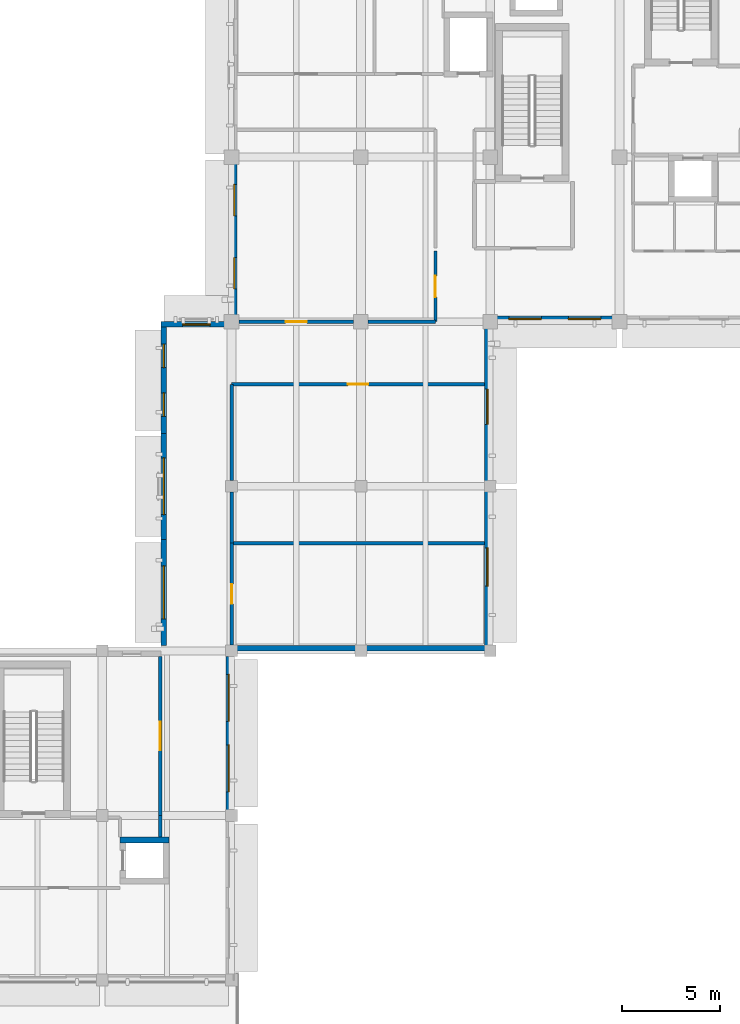
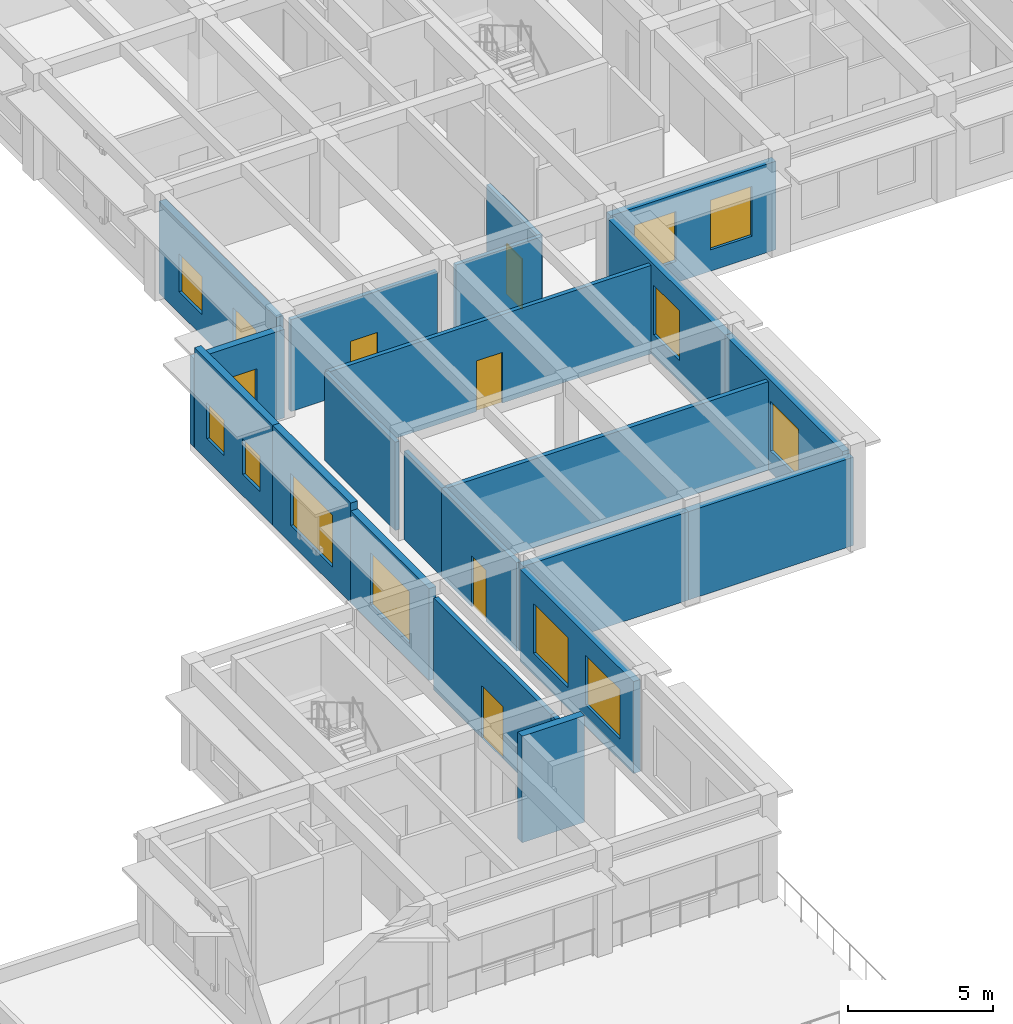
# One storey, part 10 of 20: 22 walls, 13 windows, 5 doors, 18 openings.
"""IFC4 building model written with IfcOpenShell, lengths in metres."""

from ifc_helpers import new_model, si_unit, direction, frame, frame_2d, origin, place, context, subcontext, project, spatial, rectangle, extrude, material, layer, layer_set, type_object, element, fill, save


model = new_model("IFC4")

# Units and contexts
model_context = context("Model", 3, precision=1e-05, world=origin(), true_north=direction((0.0, 1.0)))
body_context = subcontext(model_context, "Body", "Model", "MODEL_VIEW")
ifc_project = project(units=[si_unit("LENGTHUNIT", "METRE"), si_unit("AREAUNIT", "SQUARE_METRE"), si_unit("VOLUMEUNIT", "CUBIC_METRE"), si_unit("PLANEANGLEUNIT", "RADIAN"), si_unit("MASSUNIT", "GRAM", prefix="KILO")], contexts=[model_context])

# Site, building, storey
site_placement = place(None, origin())
site = spatial("IfcSite", under=ifc_project, at=site_placement, CompositionType="ELEMENT")
building_placement = place(site_placement, origin())
building = spatial("IfcBuilding", under=site, at=building_placement, Name="Kolvaren Faculty of Natural Sciences", CompositionType="ELEMENT")
storey_placement = place(building_placement, frame((0.0, 0.0, 24.0)))
storey = spatial("IfcBuildingStorey", under=building, at=storey_placement, Name="L05", CompositionType="ELEMENT", Elevation=24.0)

# Wall, opening, door
ifc_material_1 = material(Name="Acoustic mineral-wool insulated gypsum partition")
ifc_layer_1 = layer(ifc_material_1, 0.159912109375)
ifc_layer_set_1 = layer_set([ifc_layer_1], Name="Acoustic mineral-wool insulated gypsum partition")
wall_type_1 = type_object("IfcWallType", Name="ClassroomPartitionWall_160", PredefinedType="PARTITIONING", material=ifc_layer_set_1)
wall_1_placement = place(storey_placement, frame((149.199951171875, 62.60009765625, 0.0), z_axis=(0.0, 0.0, 1.0), x_axis=(0.0, -1.0, 0.0)))
wall_1 = element("IfcWall", 1, at=wall_1_placement, inside=storey, type_object=wall_type_1, Name="L05 interior partition PW-160", PredefinedType="PARTITIONING", context=body_context, shape_type="SweptSolid", body=[
    extrude(rectangle(XDim=3.60009765625, YDim=0.159912109375, at=frame_2d((1.800048828125, 0.0))), origin(), (0.0, 0.0, 1.0), 3.885009765625),
])
opening_1_placement = place(wall_1_placement, frame((1.260009765625, 0.0, 0.0)))
opening_1 = element("IfcOpeningElement", 2, at=opening_1_placement, cuts=wall_1, Name="Opening ID-23", PredefinedType="OPENING", context=body_context, shape_type="SweptSolid", body=[
    extrude(rectangle(XDim=1.080078125, YDim=2.139892578125, at=frame_2d((0.5400390625, 1.06982421875))), frame((0.0, 0.08984375, 0.0), z_axis=(0.0, -1.0, 0.0), x_axis=(1.0, 0.0, 0.0)), (0.0, 0.0, 1.0), 0.179931640625),
])
ifc_material_2 = material(Name="Solid-core hardwood veneer door leaf in steel frame", Category="steel")
door_type_1 = type_object("IfcDoorType", Name="InteriorRoomDoor_1080x2140", OperationType="NOTDEFINED", PredefinedType="DOOR", material=ifc_material_2)
door_1_placement = place(opening_1_placement, origin())
door_1 = element("IfcDoor", 3, at=door_1_placement, inside=storey, type_object=door_type_1, Name="D-L05-0318", OperationType="SINGLE_SWING_LEFT", OverallHeight=2.139892578125, OverallWidth=1.080078125, PredefinedType="DOOR", context=body_context, shape_type="SweptSolid", body=[
    extrude(rectangle(XDim=1.080078125, YDim=2.139892578125, at=frame_2d((0.5400390625, 1.06982421875))), frame((0.0, 0.02490234375, 0.0), z_axis=(0.0, -1.0, 0.0), x_axis=(1.0, 0.0, 0.0)), (0.0, 0.0, 1.0), 0.050048828125),
])
fill(opening_1, door_1)

# Wall
wall_2_placement = place(storey_placement, frame((149.199951171875, 59.0, 0.0), z_axis=(0.0, 0.0, 1.0), x_axis=(-1.0, 0.0, 0.0)))
element("IfcWall", 4, at=wall_2_placement, inside=storey, type_object=wall_type_1, Name="L05 interior partition PW-160", PredefinedType="PARTITIONING", context=body_context, shape_type="SweptSolid", body=[
    extrude(rectangle(XDim=3.425048828125, YDim=0.159912109375, at=frame_2d((1.71240234375, 0.0))), origin(), (0.0, 0.0, 1.0), 3.885009765625),
])

# Wall, opening, door
wall_3_placement = place(storey_placement, frame((145.02490234375, 59.0, 0.0), z_axis=(0.0, 0.0, 1.0), x_axis=(-1.0, 0.0, 0.0)))
wall_3 = element("IfcWall", 5, at=wall_3_placement, inside=storey, type_object=wall_type_1, Name="L05 interior partition PW-160", PredefinedType="PARTITIONING", context=body_context, shape_type="SweptSolid", body=[
    extrude(rectangle(XDim=5.849853515625, YDim=0.159912109375, at=frame_2d((2.9248046875, 0.0))), origin(), (0.0, 0.0, 1.0), 3.885009765625),
])
opening_2_placement = place(wall_3_placement, frame((2.385009765625, 0.0, 0.0)))
opening_2 = element("IfcOpeningElement", 6, at=opening_2_placement, cuts=wall_3, Name="Opening ID-23", PredefinedType="OPENING", context=body_context, shape_type="SweptSolid", body=[
    extrude(rectangle(XDim=1.080078125, YDim=2.139892578125, at=frame_2d((0.5400390625, 1.06982421875))), frame((0.0, 0.08984375, 0.0), z_axis=(0.0, -1.0, 0.0), x_axis=(1.0, 0.0, 0.0)), (0.0, 0.0, 1.0), 0.179931640625),
])
door_2_placement = place(opening_2_placement, origin())
door_2 = element("IfcDoor", 7, at=door_2_placement, inside=storey, type_object=door_type_1, Name="D-L05-0317", OperationType="SINGLE_SWING_RIGHT", OverallHeight=2.139892578125, OverallWidth=1.080078125, PredefinedType="DOOR", context=body_context, shape_type="SweptSolid", body=[
    extrude(rectangle(XDim=1.080078125, YDim=2.139892578125, at=frame_2d((0.5400390625, 1.06982421875))), frame((0.0, 0.02490234375, 0.0), z_axis=(0.0, -1.0, 0.0), x_axis=(1.0, 0.0, 0.0)), (0.0, 0.0, 1.0), 0.050048828125),
])
fill(opening_2, door_2)

# Wall, opening, window
ifc_material_3 = material(Name="Precast concrete C35/45", Category="concrete")
ifc_layer_2 = layer(ifc_material_3, 0.280029296875)
ifc_layer_set_2 = layer_set([ifc_layer_2], Name="Precast concrete C35/45")
wall_type_2 = type_object("IfcWallType", Name="ExteriorPrecastWall_280", PredefinedType="STANDARD", material=ifc_layer_set_2)
wall_4_placement = place(storey_placement, frame((135.340087890625, 42.47998046875, 0.0), z_axis=(0.0, 0.0, 1.0), x_axis=(0.0, 1.0, 0.0)))
wall_4 = element("IfcWall", 8, at=wall_4_placement, inside=storey, type_object=wall_type_2, Name="L05 exterior masonry wall EW-280 (636)", PredefinedType="STANDARD", context=body_context, shape_type="SweptSolid", body=[
    extrude(rectangle(XDim=5.413330078125, YDim=0.280029296875, at=frame_2d((2.70654296875, 0.0))), origin(), (0.0, 0.0, 1.0), 3.885009765625),
])
opening_3_placement = place(wall_4_placement, frame((1.356689453125, 0.0, 0.75)))
opening_3 = element("IfcOpeningElement", 9, at=opening_3_placement, cuts=wall_4, Name="Opening WIN-11", PredefinedType="OPENING", context=body_context, shape_type="SweptSolid", body=[
    extrude(rectangle(XDim=2.699951171875, YDim=2.199951171875, at=frame_2d((1.35009765625, 1.10009765625))), frame((0.0, 0.14990234375, 0.0), z_axis=(0.0, -1.0, 0.0), x_axis=(1.0, 0.0, 0.0)), (0.0, 0.0, 1.0), 0.300048828125),
])
ifc_material_4 = material(Name="Double low-E solar control insulated glazing", Category="glass")
window_type_1 = type_object("IfcWindowType", Name="AluWindow_WIN11_2700x2200", PartitioningType="SINGLE_PANEL", PredefinedType="WINDOW", material=ifc_material_4)
window_1_placement = place(opening_3_placement, origin())
window_1 = element("IfcWindow", 10, at=window_1_placement, inside=storey, type_object=window_type_1, Name="WIN-L05-0439", OverallHeight=2.199951171875, OverallWidth=2.699951171875, PartitioningType="SINGLE_PANEL", PredefinedType="WINDOW", context=body_context, shape_type="SweptSolid", body=[
    extrude(rectangle(XDim=2.699951171875, YDim=2.199951171875, at=frame_2d((1.35009765625, 1.10009765625))), frame((0.0, 0.030029296875, 0.0), z_axis=(0.0, -1.0, 0.0), x_axis=(1.0, 0.0, 0.0)), (0.0, 0.0, 1.0), 0.06005859375),
])
fill(opening_3, window_1)

wall_5_placement = place(storey_placement, frame((135.340087890625, 47.893310546875, 0.0), z_axis=(0.0, 0.0, 1.0), x_axis=(0.0, 1.0, 0.0)))
wall_5 = element("IfcWall", 11, at=wall_5_placement, inside=storey, type_object=wall_type_2, Name="L05 exterior masonry wall EW-280 (637)", PredefinedType="STANDARD", context=body_context, shape_type="SweptSolid", body=[
    extrude(rectangle(XDim=5.413330078125, YDim=0.280029296875, at=frame_2d((2.70654296875, 0.0))), origin(), (0.0, 0.0, 1.0), 4.219970703125),
])
opening_4_placement = place(wall_5_placement, frame((1.256591796875, 0.0, 0.75)))
opening_4 = element("IfcOpeningElement", 12, at=opening_4_placement, cuts=wall_5, Name="Opening WIN-12", PredefinedType="OPENING", context=body_context, shape_type="SweptSolid", body=[
    extrude(rectangle(XDim=2.89990234375, YDim=2.199951171875, at=frame_2d((1.449951171875, 1.10009765625))), frame((0.0, 0.14990234375, 0.0), z_axis=(0.0, -1.0, 0.0), x_axis=(1.0, 0.0, 0.0)), (0.0, 0.0, 1.0), 0.300048828125),
])
window_type_2 = type_object("IfcWindowType", Name="AluWindow_WIN12_2900x2200", PartitioningType="SINGLE_PANEL", PredefinedType="WINDOW", material=ifc_material_4)
window_2_placement = place(opening_4_placement, origin())
window_2 = element("IfcWindow", 13, at=window_2_placement, inside=storey, type_object=window_type_2, Name="WIN-L05-0440", OverallHeight=2.199951171875, OverallWidth=2.89990234375, PartitioningType="SINGLE_PANEL", PredefinedType="WINDOW", context=body_context, shape_type="SweptSolid", body=[
    extrude(rectangle(XDim=2.89990234375, YDim=2.199951171875, at=frame_2d((1.449951171875, 1.10009765625))), frame((0.0, 0.030029296875, 0.0), z_axis=(0.0, -1.0, 0.0), x_axis=(1.0, 0.0, 0.0)), (0.0, 0.0, 1.0), 0.06005859375),
])
fill(opening_4, window_2)

# Wall, openings, windows
wall_6_placement = place(storey_placement, frame((135.340087890625, 53.306640625, 0.0), z_axis=(0.0, 0.0, 1.0), x_axis=(0.0, 1.0, 0.0)))
wall_6 = element("IfcWall", 14, at=wall_6_placement, inside=storey, type_object=wall_type_2, Name="L05 exterior masonry wall EW-280 (638)", PredefinedType="STANDARD", context=body_context, shape_type="SweptSolid", body=[
    extrude(rectangle(XDim=5.413330078125, YDim=0.280029296875, at=frame_2d((2.70654296875, 0.0))), origin(), (0.0, 0.0, 1.0), 4.219970703125),
])
opening_5_placement = place(wall_6_placement, frame((0.861572265625, 0.0, 0.89990234375)))
opening_5 = element("IfcOpeningElement", 15, at=opening_5_placement, cuts=wall_6, Name="Opening WIN-13", PredefinedType="OPENING", context=body_context, shape_type="SweptSolid", body=[
    extrude(rectangle(XDim=1.199951171875, YDim=1.5, at=frame_2d((0.60009765625, 0.75))), frame((0.0, 0.14990234375, 0.0), z_axis=(0.0, -1.0, 0.0), x_axis=(1.0, 0.0, 0.0)), (0.0, 0.0, 1.0), 0.300048828125),
])
opening_6_placement = place(wall_6_placement, frame((3.351806640625, 0.0, 0.89990234375)))
opening_6 = element("IfcOpeningElement", 16, at=opening_6_placement, cuts=wall_6, Name="Opening WIN-13", PredefinedType="OPENING", context=body_context, shape_type="SweptSolid", body=[
    extrude(rectangle(XDim=1.199951171875, YDim=1.5, at=frame_2d((0.60009765625, 0.75))), frame((0.0, 0.14990234375, 0.0), z_axis=(0.0, -1.0, 0.0), x_axis=(1.0, 0.0, 0.0)), (0.0, 0.0, 1.0), 0.300048828125),
])
window_type_3 = type_object("IfcWindowType", Name="AluWindow_WIN13_1200x1500", PartitioningType="SINGLE_PANEL", PredefinedType="WINDOW", material=ifc_material_4)
window_3_placement = place(opening_5_placement, origin())
window_3 = element("IfcWindow", 17, at=window_3_placement, inside=storey, type_object=window_type_3, Name="WIN-L05-0441", OverallHeight=1.5, OverallWidth=1.199951171875, PartitioningType="SINGLE_PANEL", PredefinedType="WINDOW", context=body_context, shape_type="SweptSolid", body=[
    extrude(rectangle(XDim=1.199951171875, YDim=1.5, at=frame_2d((0.60009765625, 0.75))), frame((0.0, 0.030029296875, 0.0), z_axis=(0.0, -1.0, 0.0), x_axis=(1.0, 0.0, 0.0)), (0.0, 0.0, 1.0), 0.06005859375),
])
fill(opening_5, window_3)
window_4_placement = place(opening_6_placement, origin())
window_4 = element("IfcWindow", 18, at=window_4_placement, inside=storey, type_object=window_type_3, Name="WIN-L05-0442", OverallHeight=1.5, OverallWidth=1.199951171875, PartitioningType="SINGLE_PANEL", PredefinedType="WINDOW", context=body_context, shape_type="SweptSolid", body=[
    extrude(rectangle(XDim=1.199951171875, YDim=1.5, at=frame_2d((0.60009765625, 0.75))), frame((0.0, 0.030029296875, 0.0), z_axis=(0.0, -1.0, 0.0), x_axis=(1.0, 0.0, 0.0)), (0.0, 0.0, 1.0), 0.06005859375),
])
fill(opening_6, window_4)

# Wall, opening, window
wall_7_placement = place(storey_placement, frame((135.199951171875, 58.860107421875, 0.0), z_axis=(0.0, 0.0, 1.0), x_axis=(1.0, 0.0, 0.0)))
wall_7 = element("IfcWall", 19, at=wall_7_placement, inside=storey, type_object=wall_type_2, Name="L05 exterior masonry wall EW-280 (639)", PredefinedType="STANDARD", context=body_context, shape_type="SweptSolid", body=[
    extrude(rectangle(XDim=3.60009765625, YDim=0.280029296875, at=frame_2d((1.800048828125, 0.0))), origin(), (0.0, 0.0, 1.0), 3.735107421875),
])
opening_7_placement = place(wall_7_placement, frame((1.10009765625, 0.0, 0.89990234375)))
opening_7 = element("IfcOpeningElement", 20, at=opening_7_placement, cuts=wall_7, Name="Opening WIN-14", PredefinedType="OPENING", context=body_context, shape_type="SweptSolid", body=[
    extrude(rectangle(XDim=1.39990234375, YDim=1.550048828125, at=frame_2d((0.699951171875, 0.77490234375))), frame((0.0, 0.14990234375, 0.0), z_axis=(0.0, -1.0, 0.0), x_axis=(1.0, 0.0, 0.0)), (0.0, 0.0, 1.0), 0.300048828125),
])
window_type_4 = type_object("IfcWindowType", Name="AluWindow_WIN14_1400x1550", PartitioningType="SINGLE_PANEL", PredefinedType="WINDOW", material=ifc_material_4)
window_5_placement = place(opening_7_placement, origin())
window_5 = element("IfcWindow", 21, at=window_5_placement, inside=storey, type_object=window_type_4, Name="WIN-L05-0443", OverallHeight=1.550048828125, OverallWidth=1.39990234375, PartitioningType="SINGLE_PANEL", PredefinedType="WINDOW", context=body_context, shape_type="SweptSolid", body=[
    extrude(rectangle(XDim=1.39990234375, YDim=1.550048828125, at=frame_2d((0.699951171875, 0.77490234375))), frame((0.0, 0.030029296875, 0.0), z_axis=(0.0, -1.0, 0.0), x_axis=(1.0, 0.0, 0.0)), (0.0, 0.0, 1.0), 0.06005859375),
])
fill(opening_7, window_5)

# Wall, openings, windows
wall_8_placement = place(storey_placement, frame((138.93994140625, 59.280029296875, 0.0), z_axis=(0.0, 0.0, 1.0), x_axis=(0.0, 1.0, 0.0)))
wall_8 = element("IfcWall", 22, at=wall_8_placement, inside=storey, type_object=wall_type_2, Name="L05 exterior masonry wall EW-280 (640)", PredefinedType="STANDARD", context=body_context, shape_type="SweptSolid", body=[
    extrude(rectangle(XDim=8.119873046875, YDim=0.280029296875, at=frame_2d((4.06005859375, 0.0))), origin(), (0.0, 0.0, 1.0), 3.885009765625),
])
opening_8_placement = place(wall_8_placement, frame((1.392333984375, 0.0, 0.89990234375)))
opening_8 = element("IfcOpeningElement", 23, at=opening_8_placement, cuts=wall_8, Name="Opening WIN-15", PredefinedType="OPENING", context=body_context, shape_type="SweptSolid", body=[
    extrude(rectangle(XDim=1.60009765625, YDim=1.60009765625, at=frame_2d((0.800048828125, 0.800048828125))), frame((0.0, 0.14990234375, 0.0), z_axis=(0.0, -1.0, 0.0), x_axis=(1.0, 0.0, 0.0)), (0.0, 0.0, 1.0), 0.300048828125),
])
opening_9_placement = place(wall_8_placement, frame((5.127685546875, 0.0, 0.89990234375)))
opening_9 = element("IfcOpeningElement", 24, at=opening_9_placement, cuts=wall_8, Name="Opening WIN-15", PredefinedType="OPENING", context=body_context, shape_type="SweptSolid", body=[
    extrude(rectangle(XDim=1.60009765625, YDim=1.60009765625, at=frame_2d((0.800048828125, 0.800048828125))), frame((0.0, 0.14990234375, 0.0), z_axis=(0.0, -1.0, 0.0), x_axis=(1.0, 0.0, 0.0)), (0.0, 0.0, 1.0), 0.300048828125),
])
window_type_5 = type_object("IfcWindowType", Name="AluWindow_WIN15_1600x1600", PartitioningType="SINGLE_PANEL", PredefinedType="WINDOW", material=ifc_material_4)
window_6_placement = place(opening_8_placement, origin())
window_6 = element("IfcWindow", 25, at=window_6_placement, inside=storey, type_object=window_type_5, Name="WIN-L05-0444", OverallHeight=1.60009765625, OverallWidth=1.60009765625, PartitioningType="SINGLE_PANEL", PredefinedType="WINDOW", context=body_context, shape_type="SweptSolid", body=[
    extrude(rectangle(XDim=1.60009765625, YDim=1.60009765625, at=frame_2d((0.800048828125, 0.800048828125))), frame((0.0, 0.030029296875, 0.0), z_axis=(0.0, -1.0, 0.0), x_axis=(1.0, 0.0, 0.0)), (0.0, 0.0, 1.0), 0.06005859375),
])
fill(opening_8, window_6)
window_7_placement = place(opening_9_placement, origin())
window_7 = element("IfcWindow", 26, at=window_7_placement, inside=storey, type_object=window_type_5, Name="WIN-L05-0445", OverallHeight=1.60009765625, OverallWidth=1.60009765625, PartitioningType="SINGLE_PANEL", PredefinedType="WINDOW", context=body_context, shape_type="SweptSolid", body=[
    extrude(rectangle(XDim=1.60009765625, YDim=1.60009765625, at=frame_2d((0.800048828125, 0.800048828125))), frame((0.0, 0.030029296875, 0.0), z_axis=(0.0, -1.0, 0.0), x_axis=(1.0, 0.0, 0.0)), (0.0, 0.0, 1.0), 0.06005859375),
])
fill(opening_9, window_7)

wall_9_placement = place(storey_placement, frame((158.60009765625, 59.139892578125, 0.0), z_axis=(0.0, 0.0, 1.0), x_axis=(-1.0, 0.0, 0.0)))
wall_9 = element("IfcWall", 27, at=wall_9_placement, inside=storey, type_object=wall_type_2, Name="L05 exterior masonry wall EW-280 (653)", PredefinedType="STANDARD", context=body_context, shape_type="SweptSolid", body=[
    extrude(rectangle(XDim=6.60009765625, YDim=0.280029296875, at=frame_2d((3.300048828125, 0.0))), origin(), (0.0, 0.0, 1.0), 3.735107421875),
])
opening_10_placement = place(wall_9_placement, frame((0.95703125, 0.0, 0.89990234375)))
opening_10 = element("IfcOpeningElement", 28, at=opening_10_placement, cuts=wall_9, Name="Opening WIN-04", PredefinedType="OPENING", context=body_context, shape_type="SweptSolid", body=[
    extrude(rectangle(XDim=1.64990234375, YDim=2.10009765625, at=frame_2d((0.824951171875, 1.050048828125))), frame((0.0, 0.14990234375, 0.0), z_axis=(0.0, -1.0, 0.0), x_axis=(1.0, 0.0, 0.0)), (0.0, 0.0, 1.0), 0.300048828125),
])
opening_11_placement = place(wall_9_placement, frame((3.992919921875, 0.0, 0.89990234375)))
opening_11 = element("IfcOpeningElement", 29, at=opening_11_placement, cuts=wall_9, Name="Opening WIN-04", PredefinedType="OPENING", context=body_context, shape_type="SweptSolid", body=[
    extrude(rectangle(XDim=1.64990234375, YDim=2.10009765625, at=frame_2d((0.824951171875, 1.050048828125))), frame((0.0, 0.14990234375, 0.0), z_axis=(0.0, -1.0, 0.0), x_axis=(1.0, 0.0, 0.0)), (0.0, 0.0, 1.0), 0.300048828125),
])
window_type_6 = type_object("IfcWindowType", Name="AluWindow_WIN04_1650x2100", PartitioningType="SINGLE_PANEL", PredefinedType="WINDOW", material=ifc_material_4)
window_8_placement = place(opening_10_placement, origin())
window_8 = element("IfcWindow", 30, at=window_8_placement, inside=storey, type_object=window_type_6, Name="WIN-L05-0467", OverallHeight=2.10009765625, OverallWidth=1.64990234375, PartitioningType="SINGLE_PANEL", PredefinedType="WINDOW", context=body_context, shape_type="SweptSolid", body=[
    extrude(rectangle(XDim=1.64990234375, YDim=2.10009765625, at=frame_2d((0.824951171875, 1.050048828125))), frame((0.0, 0.030029296875, 0.0), z_axis=(0.0, -1.0, 0.0), x_axis=(1.0, 0.0, 0.0)), (0.0, 0.0, 1.0), 0.06005859375),
])
fill(opening_10, window_8)
window_9_placement = place(opening_11_placement, origin())
window_9 = element("IfcWindow", 31, at=window_9_placement, inside=storey, type_object=window_type_6, Name="WIN-L05-0468", OverallHeight=2.10009765625, OverallWidth=1.64990234375, PartitioningType="SINGLE_PANEL", PredefinedType="WINDOW", context=body_context, shape_type="SweptSolid", body=[
    extrude(rectangle(XDim=1.64990234375, YDim=2.10009765625, at=frame_2d((0.824951171875, 1.050048828125))), frame((0.0, 0.030029296875, 0.0), z_axis=(0.0, -1.0, 0.0), x_axis=(1.0, 0.0, 0.0)), (0.0, 0.0, 1.0), 0.06005859375),
])
fill(opening_11, window_9)

# Wall, opening, window
wall_10_placement = place(storey_placement, frame((151.860107421875, 58.719970703125, 0.0), z_axis=(0.0, 0.0, 1.0), x_axis=(0.0, -1.0, 0.0)))
wall_10 = element("IfcWall", 32, at=wall_10_placement, inside=storey, type_object=wall_type_2, Name="L05 exterior masonry wall EW-280 (654)", PredefinedType="STANDARD", context=body_context, shape_type="SweptSolid", body=[
    extrude(rectangle(XDim=8.119873046875, YDim=0.280029296875, at=frame_2d((4.06005859375, 0.0))), origin(), (0.0, 0.0, 1.0), 3.885009765625),
])
opening_12_placement = place(wall_10_placement, frame((3.159912109375, 0.0, 0.89990234375)))
opening_12 = element("IfcOpeningElement", 33, at=opening_12_placement, cuts=wall_10, Name="Opening WIN-05", PredefinedType="OPENING", context=body_context, shape_type="SweptSolid", body=[
    extrude(rectangle(XDim=1.800048828125, YDim=2.10009765625, at=frame_2d((0.89990234375, 1.050048828125))), frame((0.0, 0.14990234375, 0.0), z_axis=(0.0, -1.0, 0.0), x_axis=(1.0, 0.0, 0.0)), (0.0, 0.0, 1.0), 0.300048828125),
])
window_type_7 = type_object("IfcWindowType", Name="AluWindow_WIN05_1800x2100", PartitioningType="SINGLE_PANEL", PredefinedType="WINDOW", material=ifc_material_4)
window_10_placement = place(opening_12_placement, origin())
window_10 = element("IfcWindow", 34, at=window_10_placement, inside=storey, type_object=window_type_7, Name="WIN-L05-0469", OverallHeight=2.10009765625, OverallWidth=1.800048828125, PartitioningType="SINGLE_PANEL", PredefinedType="WINDOW", context=body_context, shape_type="SweptSolid", body=[
    extrude(rectangle(XDim=1.800048828125, YDim=2.10009765625, at=frame_2d((0.89990234375, 1.050048828125))), frame((0.0, 0.030029296875, 0.0), z_axis=(0.0, -1.0, 0.0), x_axis=(1.0, 0.0, 0.0)), (0.0, 0.0, 1.0), 0.06005859375),
])
fill(opening_12, window_10)

wall_11_placement = place(storey_placement, frame((151.860107421875, 50.60009765625, 0.0), z_axis=(0.0, 0.0, 1.0), x_axis=(0.0, -1.0, 0.0)))
wall_11 = element("IfcWall", 35, at=wall_11_placement, inside=storey, type_object=wall_type_2, Name="L05 exterior masonry wall EW-280 (655)", PredefinedType="STANDARD", context=body_context, shape_type="SweptSolid", body=[
    extrude(rectangle(XDim=8.1201171875, YDim=0.280029296875, at=frame_2d((4.06005859375, 0.0))), origin(), (0.0, 0.0, 1.0), 3.885009765625),
])
opening_13_placement = place(wall_11_placement, frame((3.139892578125, 0.0, 0.89990234375)))
opening_13 = element("IfcOpeningElement", 36, at=opening_13_placement, cuts=wall_11, Name="Opening WIN-06", PredefinedType="OPENING", context=body_context, shape_type="SweptSolid", body=[
    extrude(rectangle(XDim=1.949951171875, YDim=2.10009765625, at=frame_2d((0.97509765625, 1.050048828125))), frame((0.0, 0.14990234375, 0.0), z_axis=(0.0, -1.0, 0.0), x_axis=(1.0, 0.0, 0.0)), (0.0, 0.0, 1.0), 0.300048828125),
])
window_type_8 = type_object("IfcWindowType", Name="AluWindow_WIN06_1950x2100", PartitioningType="SINGLE_PANEL", PredefinedType="WINDOW", material=ifc_material_4)
window_11_placement = place(opening_13_placement, origin())
window_11 = element("IfcWindow", 37, at=window_11_placement, inside=storey, type_object=window_type_8, Name="WIN-L05-0470", OverallHeight=2.10009765625, OverallWidth=1.949951171875, PartitioningType="SINGLE_PANEL", PredefinedType="WINDOW", context=body_context, shape_type="SweptSolid", body=[
    extrude(rectangle(XDim=1.949951171875, YDim=2.10009765625, at=frame_2d((0.97509765625, 1.050048828125))), frame((0.0, 0.030029296875, 0.0), z_axis=(0.0, -1.0, 0.0), x_axis=(1.0, 0.0, 0.0)), (0.0, 0.0, 1.0), 0.06005859375),
])
fill(opening_13, window_11)

# Walls
wall_12_placement = place(storey_placement, frame((152.0, 42.340087890625, 0.0), z_axis=(0.0, 0.0, 1.0), x_axis=(-1.0, 0.0, 0.0)))
element("IfcWall", 38, at=wall_12_placement, inside=storey, type_object=wall_type_2, Name="L05 exterior masonry wall EW-280 (656)", PredefinedType="STANDARD", context=body_context, shape_type="SweptSolid", body=[
    extrude(rectangle(XDim=6.60009765625, YDim=0.280029296875, at=frame_2d((3.300048828125, 0.0))), origin(), (0.0, 0.0, 1.0), 3.735107421875),
])
wall_13_placement = place(storey_placement, frame((145.39990234375, 42.340087890625, 0.0), z_axis=(0.0, 0.0, 1.0), x_axis=(-1.0, 0.0, 0.0)))
element("IfcWall", 39, at=wall_13_placement, inside=storey, type_object=wall_type_2, Name="L05 exterior masonry wall EW-280 (657)", PredefinedType="STANDARD", context=body_context, shape_type="SweptSolid", body=[
    extrude(rectangle(XDim=6.599853515625, YDim=0.280029296875, at=frame_2d((3.2998046875, 0.0))), origin(), (0.0, 0.0, 1.0), 3.735107421875),
])

# Wall, openings, windows
wall_14_placement = place(storey_placement, frame((138.659912109375, 41.919921875, 0.0), z_axis=(0.0, 0.0, 1.0), x_axis=(0.0, -1.0, 0.0)))
wall_14 = element("IfcWall", 40, at=wall_14_placement, inside=storey, type_object=wall_type_2, Name="L05 exterior masonry wall EW-280 (658)", PredefinedType="STANDARD", context=body_context, shape_type="SweptSolid", body=[
    extrude(rectangle(XDim=7.83984375, YDim=0.280029296875, at=frame_2d((3.919921875, 0.0))), origin(), (0.0, 0.0, 1.0), 3.885009765625),
])
opening_14_placement = place(wall_14_placement, frame((0.916748046875, 0.0, 0.89990234375)))
opening_14 = element("IfcOpeningElement", 41, at=opening_14_placement, cuts=wall_14, Name="Opening WIN-09", PredefinedType="OPENING", context=body_context, shape_type="SweptSolid", body=[
    extrude(rectangle(XDim=2.39990234375, YDim=2.10009765625, at=frame_2d((1.199951171875, 1.050048828125))), frame((0.0, 0.14990234375, 0.0), z_axis=(0.0, -1.0, 0.0), x_axis=(1.0, 0.0, 0.0)), (0.0, 0.0, 1.0), 0.300048828125),
])
opening_15_placement = place(wall_14_placement, frame((4.523193359375, 0.0, 0.89990234375)))
opening_15 = element("IfcOpeningElement", 42, at=opening_15_placement, cuts=wall_14, Name="Opening WIN-09", PredefinedType="OPENING", context=body_context, shape_type="SweptSolid", body=[
    extrude(rectangle(XDim=2.39990234375, YDim=2.10009765625, at=frame_2d((1.199951171875, 1.050048828125))), frame((0.0, 0.14990234375, 0.0), z_axis=(0.0, -1.0, 0.0), x_axis=(1.0, 0.0, 0.0)), (0.0, 0.0, 1.0), 0.300048828125),
])
window_type_9 = type_object("IfcWindowType", Name="AluWindow_WIN09_2400x2100", PartitioningType="SINGLE_PANEL", PredefinedType="WINDOW", material=ifc_material_4)
window_12_placement = place(opening_14_placement, origin())
window_12 = element("IfcWindow", 43, at=window_12_placement, inside=storey, type_object=window_type_9, Name="WIN-L05-0471", OverallHeight=2.10009765625, OverallWidth=2.39990234375, PartitioningType="SINGLE_PANEL", PredefinedType="WINDOW", context=body_context, shape_type="SweptSolid", body=[
    extrude(rectangle(XDim=2.39990234375, YDim=2.10009765625, at=frame_2d((1.199951171875, 1.050048828125))), frame((0.0, 0.030029296875, 0.0), z_axis=(0.0, -1.0, 0.0), x_axis=(1.0, 0.0, 0.0)), (0.0, 0.0, 1.0), 0.06005859375),
])
fill(opening_14, window_12)
window_13_placement = place(opening_15_placement, origin())
window_13 = element("IfcWindow", 44, at=window_13_placement, inside=storey, type_object=window_type_9, Name="WIN-L05-0472", OverallHeight=2.10009765625, OverallWidth=2.39990234375, PartitioningType="SINGLE_PANEL", PredefinedType="WINDOW", context=body_context, shape_type="SweptSolid", body=[
    extrude(rectangle(XDim=2.39990234375, YDim=2.10009765625, at=frame_2d((1.199951171875, 1.050048828125))), frame((0.0, 0.030029296875, 0.0), z_axis=(0.0, -1.0, 0.0), x_axis=(1.0, 0.0, 0.0)), (0.0, 0.0, 1.0), 0.06005859375),
])
fill(opening_15, window_13)

# Wall, opening, door
ifc_layer_3 = layer(ifc_material_1, 0.179931640625)
ifc_layer_set_3 = layer_set([ifc_layer_3], Name="Acoustic mineral-wool insulated gypsum partition")
wall_type_3 = type_object("IfcWallType", Name="LabPartitionWall_180", PredefinedType="PARTITIONING", material=ifc_layer_set_3)
wall_15_placement = place(storey_placement, frame((138.800048828125, 42.5, 0.0), z_axis=(0.0, 0.0, 1.0), x_axis=(0.0, 1.0, 0.0)))
wall_15 = element("IfcWall", 45, at=wall_15_placement, inside=storey, type_object=wall_type_3, Name="L05 interior partition PW-180", PredefinedType="PARTITIONING", context=body_context, shape_type="SweptSolid", body=[
    extrude(rectangle(XDim=5.199951171875, YDim=0.179931640625, at=frame_2d((2.60009765625, 0.0))), origin(), (0.0, 0.0, 1.0), 3.735107421875),
])
opening_16_placement = place(wall_15_placement, frame((2.094970703125, 0.0, 0.0)))
opening_16 = element("IfcOpeningElement", 46, at=opening_16_placement, cuts=wall_15, Name="Opening ID-21", PredefinedType="OPENING", context=body_context, shape_type="SweptSolid", body=[
    extrude(rectangle(XDim=1.010009765625, YDim=2.139892578125, at=frame_2d((0.5048828125, 1.06982421875))), frame((0.0, 0.099853515625, 0.0), z_axis=(0.0, -1.0, 0.0), x_axis=(1.0, 0.0, 0.0)), (0.0, 0.0, 1.0), 0.199951171875),
])
door_type_2 = type_object("IfcDoorType", Name="InteriorRoomDoor_1010x2140", OperationType="NOTDEFINED", PredefinedType="DOOR", material=ifc_material_2)
door_3_placement = place(opening_16_placement, origin())
door_3 = element("IfcDoor", 47, at=door_3_placement, inside=storey, type_object=door_type_2, Name="D-L05-0315", OperationType="SINGLE_SWING_RIGHT", OverallHeight=2.139892578125, OverallWidth=1.010009765625, PredefinedType="DOOR", context=body_context, shape_type="SweptSolid", body=[
    extrude(rectangle(XDim=1.010009765625, YDim=2.139892578125, at=frame_2d((0.5048828125, 1.06982421875))), frame((0.0, 0.02490234375, 0.0), z_axis=(0.0, -1.0, 0.0), x_axis=(1.0, 0.0, 0.0)), (0.0, 0.0, 1.0), 0.050048828125),
])
fill(opening_16, door_3)

# Wall
wall_16_placement = place(storey_placement, frame((138.800048828125, 47.699951171875, 0.0), z_axis=(0.0, 0.0, 1.0), x_axis=(1.0, 0.0, 0.0)))
element("IfcWall", 48, at=wall_16_placement, inside=storey, type_object=wall_type_3, Name="L05 interior partition PW-180", PredefinedType="PARTITIONING", context=body_context, shape_type="SweptSolid", body=[
    extrude(rectangle(XDim=12.91796875, YDim=0.179931640625, at=frame_2d((6.458984375, 0.0))), origin(), (0.0, 0.0, 1.0), 3.735107421875),
])

# Wall, opening, door
wall_17_placement = place(storey_placement, frame((135.14990234375, 41.91796875, 0.0), z_axis=(0.0, 0.0, 1.0), x_axis=(0.0, -1.0, 0.0)))
wall_17 = element("IfcWall", 49, at=wall_17_placement, inside=storey, type_object=wall_type_3, Name="L05 interior partition PW-180", PredefinedType="PARTITIONING", context=body_context, shape_type="SweptSolid", body=[
    extrude(rectangle(XDim=8.117919921875, YDim=0.179931640625, at=frame_2d((4.05908203125, 0.0))), origin(), (0.0, 0.0, 1.0), 3.885009765625),
])
opening_17_placement = place(wall_17_placement, frame((3.3291015625, 0.0, 0.0)))
opening_17 = element("IfcOpeningElement", 50, at=opening_17_placement, cuts=wall_17, Name="Opening ID-32", PredefinedType="OPENING", context=body_context, shape_type="SweptSolid", body=[
    extrude(rectangle(XDim=1.4599609375, YDim=2.199951171875, at=frame_2d((0.72998046875, 1.10009765625))), frame((0.0, 0.099853515625, 0.0), z_axis=(0.0, -1.0, 0.0), x_axis=(1.0, 0.0, 0.0)), (0.0, 0.0, 1.0), 0.199951171875),
])
ifc_material_5 = material(Name="Thermally broken anodised aluminium glazed door", Category="aluminium")
door_type_3 = type_object("IfcDoorType", Name="InteriorRoomDoor_1460x2200", OperationType="DOUBLE_DOOR_SINGLE_SWING", PredefinedType="DOOR", material=ifc_material_5)
door_4_placement = place(opening_17_placement, origin())
door_4 = element("IfcDoor", 51, at=door_4_placement, inside=storey, type_object=door_type_3, Name="D-L05-0327", OperationType="DOUBLE_DOOR_SINGLE_SWING", OverallHeight=2.199951171875, OverallWidth=1.4599609375, PredefinedType="DOOR", context=body_context, shape_type="SweptSolid", body=[
    extrude(rectangle(XDim=1.4599609375, YDim=2.199951171875, at=frame_2d((0.72998046875, 1.10009765625))), frame((0.0, 0.02490234375, 0.0), z_axis=(0.0, -1.0, 0.0), x_axis=(1.0, 0.0, 0.0)), (0.0, 0.0, 1.0), 0.050048828125),
])
fill(opening_17, door_4)

# Wall
wall_18_placement = place(storey_placement, frame((135.14990234375, 33.800048828125, 0.0), z_axis=(0.0, 0.0, 1.0), x_axis=(0.0, -1.0, 0.0)))
element("IfcWall", 52, at=wall_18_placement, inside=storey, type_object=wall_type_3, Name="L05 interior partition PW-180", PredefinedType="PARTITIONING", context=body_context, shape_type="SweptSolid", body=[
    extrude(rectangle(XDim=1.09814453125, YDim=0.179931640625, at=frame_2d((0.549072265625, 0.0))), origin(), (0.0, 0.0, 1.0), 3.885009765625),
])

# Wall, opening, door
ifc_layer_4 = layer(ifc_material_1, 0.169921875)
ifc_layer_set_4 = layer_set([ifc_layer_4], Name="Acoustic mineral-wool insulated gypsum partition")
wall_type_4 = type_object("IfcWallType", Name="SeminarPartitionWall_170", PredefinedType="PARTITIONING", material=ifc_layer_set_4)
wall_19_placement = place(storey_placement, frame((138.800048828125, 55.800048828125, 0.0), z_axis=(0.0, 0.0, 1.0), x_axis=(1.0, 0.0, 0.0)))
wall_19 = element("IfcWall", 53, at=wall_19_placement, inside=storey, type_object=wall_type_4, Name="L05 interior partition PW-170", PredefinedType="PARTITIONING", context=body_context, shape_type="SweptSolid", body=[
    extrude(rectangle(XDim=12.91796875, YDim=0.169921875, at=frame_2d((6.458984375, 0.0))), origin(), (0.0, 0.0, 1.0), 3.735107421875),
])
opening_18_placement = place(wall_19_placement, frame((5.93896484375, 0.0, 0.0)))
opening_18 = element("IfcOpeningElement", 54, at=opening_18_placement, cuts=wall_19, Name="Opening ID-22", PredefinedType="OPENING", context=body_context, shape_type="SweptSolid", body=[
    extrude(rectangle(XDim=1.0400390625, YDim=2.139892578125, at=frame_2d((0.52001953125, 1.06982421875))), frame((0.0, 0.094970703125, 0.0), z_axis=(0.0, -1.0, 0.0), x_axis=(1.0, 0.0, 0.0)), (0.0, 0.0, 1.0), 0.18994140625),
])
door_type_4 = type_object("IfcDoorType", Name="InteriorRoomDoor_1040x2140", OperationType="NOTDEFINED", PredefinedType="DOOR", material=ifc_material_2)
door_5_placement = place(opening_18_placement, origin())
door_5 = element("IfcDoor", 55, at=door_5_placement, inside=storey, type_object=door_type_4, Name="D-L05-0316", OperationType="SINGLE_SWING_LEFT", OverallHeight=2.139892578125, OverallWidth=1.0400390625, PredefinedType="DOOR", context=body_context, shape_type="SweptSolid", body=[
    extrude(rectangle(XDim=1.0400390625, YDim=2.139892578125, at=frame_2d((0.52001953125, 1.06982421875))), frame((0.0, 0.02490234375, 0.0), z_axis=(0.0, -1.0, 0.0), x_axis=(1.0, 0.0, 0.0)), (0.0, 0.0, 1.0), 0.050048828125),
])
fill(opening_18, door_5)

# Walls
wall_20_placement = place(storey_placement, frame((138.800048828125, 47.699951171875, 0.0), z_axis=(0.0, 0.0, 1.0), x_axis=(0.0, 1.0, 0.0)))
element("IfcWall", 56, at=wall_20_placement, inside=storey, type_object=wall_type_4, Name="L05 interior partition PW-170", PredefinedType="PARTITIONING", context=body_context, shape_type="SweptSolid", body=[
    extrude(rectangle(XDim=2.60009765625, YDim=0.169921875, at=frame_2d((1.300048828125, 0.0))), origin(), (0.0, 0.0, 1.0), 3.735107421875),
])
wall_21_placement = place(storey_placement, frame((138.800048828125, 50.89990234375, 0.0), z_axis=(0.0, 0.0, 1.0), x_axis=(0.0, 1.0, 0.0)))
element("IfcWall", 57, at=wall_21_placement, inside=storey, type_object=wall_type_4, Name="L05 interior partition PW-170", PredefinedType="PARTITIONING", context=body_context, shape_type="SweptSolid", body=[
    extrude(rectangle(XDim=4.900146484375, YDim=0.169921875, at=frame_2d((2.4501953125, 0.0))), origin(), (0.0, 0.0, 1.0), 3.735107421875),
])
ifc_material_6 = material(Name="Concrete C40/50", Category="concrete")
ifc_layer_5 = layer(ifc_material_6, 0.300048828125)
ifc_layer_set_5 = layer_set([ifc_layer_5], Name="Concrete C40/50")
wall_type_5 = type_object("IfcWallType", Name="ShaftShearWall_300", PredefinedType="SHEAR", material=ifc_layer_set_5)
wall_22_placement = place(storey_placement, frame((133.10009765625, 32.550048828125, 0.0), z_axis=(0.0, 0.0, 1.0), x_axis=(1.0, 0.0, 0.0)))
element("IfcWall", 58, at=wall_22_placement, inside=storey, type_object=wall_type_5, Name="L05 lift PL-3 shaft wall N", PredefinedType="SHEAR", context=body_context, shape_type="SweptSolid", body=[
    extrude(rectangle(XDim=2.5, YDim=0.300048828125, at=frame_2d((1.25, 0.0))), origin(), (0.0, 0.0, 1.0), 4.5),
])

save(model, "model.ifc")
